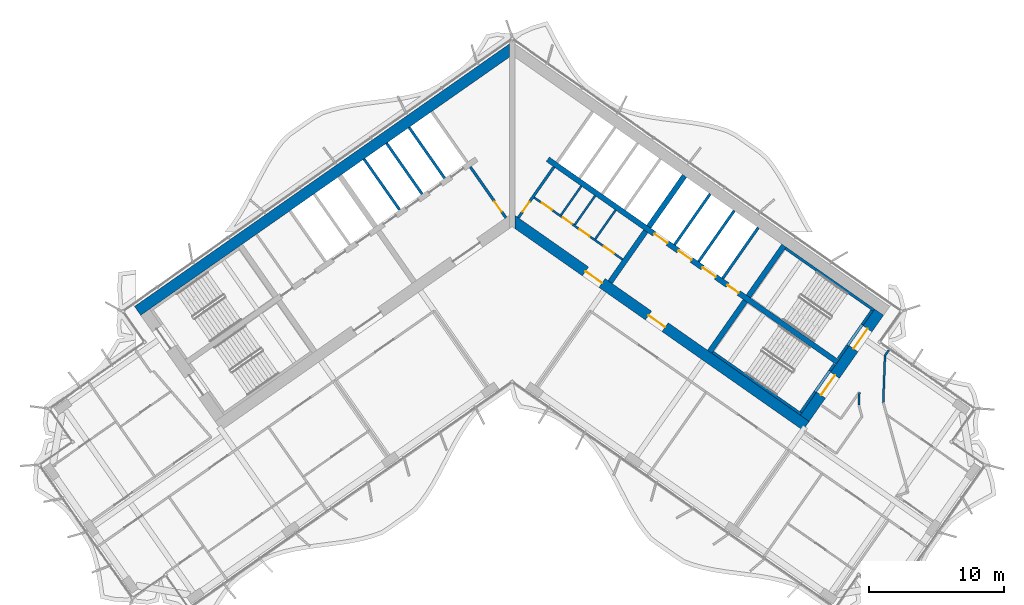
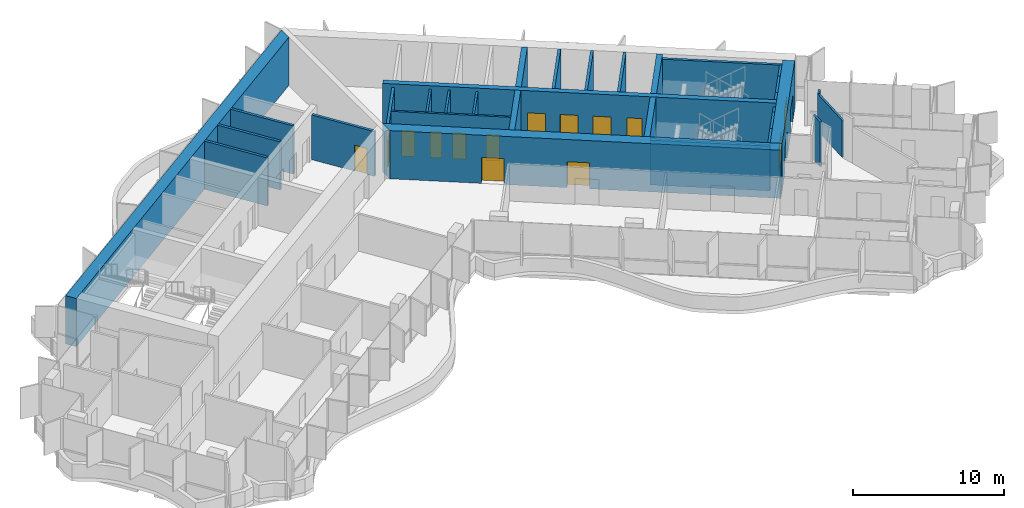
# One storey, part 14 of 21: 31 walls, 14 doors, 14 openings.
"""IFC4 building model written with IfcOpenShell, lengths in metres."""

import ifcopenshell
import ifcopenshell.guid

model = None  # the IFC model being written
_history = None  # IfcOwnerHistory: only IFC2X3 demands one
_inside = {}  # id of a spatial element -> (the spatial element, [elements in it])
_under = {}  # id of a project, library or spatial element -> (it, [spatial elements below it])
_declared = {}  # id of a project -> (the project, [libraries it declares])
_typed = {}  # id of a type object -> (the type object, [elements of that type])
_made_of = {}  # id of a material, layer set ... -> (it, [elements and type objects made of it])


def new_model(schema):
    """Start an empty IFC model of exactly this schema.

    Asked for "IFC4X3", IfcOpenShell would pick the latest addendum, in which some entities
    have other attributes; the version numbers below select the first issue.
    IFC2X3 requires an IfcOwnerHistory on every rooted entity: one is made here for all.
    """
    global model, _history
    if schema == "IFC4X3":
        model = ifcopenshell.file(schema_version=(4, 3, 0, 0))
    else:
        model = ifcopenshell.file(schema=schema)
    _inside.clear()
    _under.clear()
    _declared.clear()
    _typed.clear()
    _made_of.clear()
    _history = None
    if model.schema == "IFC2X3":
        org = make("IfcOrganization", Name="unknown")
        user = make(
            "IfcPersonAndOrganization",
            ThePerson=make("IfcPerson", FamilyName="unknown"),
            TheOrganization=org,
        )
        app = make(
            "IfcApplication",
            ApplicationDeveloper=org,
            Version="unknown",
            ApplicationFullName="unknown",
            ApplicationIdentifier="unknown",
        )
        _history = make(
            "IfcOwnerHistory",
            OwningUser=user,
            OwningApplication=app,
            ChangeAction="ADDED",
            CreationDate=0,
        )
    return model


def make(cls, **values):
    """One entity of the class cls with the attributes given. An attribute that is None is left unset."""
    return model.create_entity(
        cls, **{name: value for name, value in values.items() if value is not None}
    )


def rooted(cls, **values):
    """An entity with a GlobalId (a new one), such as an element, a storey or a relation."""
    return make(cls, GlobalId=ifcopenshell.guid.new(), OwnerHistory=_history, **values)


def si_unit(unit_type, name, prefix=None):
    """IfcSIUnit, for example si_unit("LENGTHUNIT", "METRE", prefix="MILLI")."""
    return make("IfcSIUnit", UnitType=unit_type, Prefix=prefix, Name=name)


def assignment(units):
    """IfcUnitAssignment: the units of a project."""
    return None if units is None else make("IfcUnitAssignment", Units=units)


def point(xyz):
    """IfcCartesianPoint."""
    return None if xyz is None else make("IfcCartesianPoint", Coordinates=xyz)


def direction(xyz):
    """IfcDirection."""
    return None if xyz is None else make("IfcDirection", DirectionRatios=xyz)


def frame(location, z_axis=None, x_axis=None):
    """IfcAxis2Placement3D, a coordinate frame: its origin and axes. An axis left out is left unset."""
    return make(
        "IfcAxis2Placement3D",
        Location=point(location),
        Axis=direction(z_axis),
        RefDirection=direction(x_axis),
    )


def frame_2d(location, x_axis=None):
    """IfcAxis2Placement2D, a coordinate frame in the plane: its origin and x axis."""
    return make(
        "IfcAxis2Placement2D", Location=point(location), RefDirection=direction(x_axis)
    )


def origin():
    """The frame at (0, 0, 0) with its axes left unset."""
    return frame((0.0, 0.0, 0.0))


def place(relative_to, where):
    """IfcLocalPlacement: puts the frame where relative to a parent placement (None: the world)."""
    return make(
        "IfcLocalPlacement", PlacementRelTo=relative_to, RelativePlacement=where
    )


def context(
    kind, dimensions, precision=None, world=None, true_north=None, identifier=None
):
    """IfcGeometricRepresentationContext, for example the 3D "Model" context."""
    return make(
        "IfcGeometricRepresentationContext",
        ContextIdentifier=identifier,
        ContextType=kind,
        CoordinateSpaceDimension=dimensions,
        Precision=precision,
        WorldCoordinateSystem=world,
        TrueNorth=true_north,
    )


def subcontext(parent, identifier, kind, view, scale=None):
    """IfcGeometricRepresentationSubContext, for example "Body" below "Model"."""
    return make(
        "IfcGeometricRepresentationSubContext",
        ContextIdentifier=identifier,
        ContextType=kind,
        ParentContext=parent,
        TargetScale=scale,
        TargetView=view,
    )


def project(units=None, contexts=None):
    """IfcProject with its units and contexts."""
    return rooted(
        "IfcProject",
        Name="project",
        RepresentationContexts=contexts,
        UnitsInContext=assignment(units),
    )


def spatial(cls, under=None, at=None, **own):
    """A site, building, storey or space (cls), placed at a placement, below another one or the project."""
    s = rooted(cls, ObjectPlacement=at, **own)
    if under is not None:
        _under.setdefault(under.id(), (under, []))[1].append(s)
    return s


def polyline(points):
    """IfcPolyline through the points."""
    return make("IfcPolyline", Points=[point(p) for p in points])


def profile(cls, at=None, kind="AREA", **sizes):
    """A parametric profile (cls). Its sizes go by their IFC names, for example OverallWidth=200.0."""
    return make(cls, ProfileType=kind, Position=at, **sizes)


def rectangle(**sizes):
    """IfcRectangleProfileDef."""
    return profile("IfcRectangleProfileDef", **sizes)


def outline(outer, holes=None, kind="AREA"):
    """IfcArbitraryClosedProfileDef: a profile drawn as a closed curve; with holes, ...WithVoids."""
    if holes is None:
        return make("IfcArbitraryClosedProfileDef", ProfileType=kind, OuterCurve=outer)
    return make(
        "IfcArbitraryProfileDefWithVoids",
        ProfileType=kind,
        OuterCurve=outer,
        InnerCurves=holes,
    )


def extrude(swept, where, along, depth):
    """IfcExtrudedAreaSolid: the profile swept, set in the frame where, extruded along a direction by depth."""
    return make(
        "IfcExtrudedAreaSolid",
        SweptArea=swept,
        Position=where,
        ExtrudedDirection=direction(along),
        Depth=depth,
    )


def shape(context_of_items, identifier, shape_type, items):
    """IfcShapeRepresentation: the items that make up one representation, for example the "Body"."""
    return make(
        "IfcShapeRepresentation",
        ContextOfItems=context_of_items,
        RepresentationIdentifier=identifier,
        RepresentationType=shape_type,
        Items=items,
    )


def material(Name=None, Category=None):
    """IfcMaterial."""
    return make("IfcMaterial", Name=Name, Category=Category)


def layer(
    of_material, thickness, ventilated=None, Name=None, Category=None, Priority=None
):
    """IfcMaterialLayer: one layer of a wall or slab, of a material (None: an air gap)."""
    return make(
        "IfcMaterialLayer",
        Material=of_material,
        LayerThickness=thickness,
        IsVentilated=ventilated,
        Name=Name,
        Category=Category,
        Priority=Priority,
    )


def layer_set(layers, Name=None):
    """IfcMaterialLayerSet."""
    return make("IfcMaterialLayerSet", MaterialLayers=layers, LayerSetName=Name)


def made_of(thing, what):
    """Note that an element or type object is made of a material, layer set ...; save() writes the relation."""
    if what is not None:
        _made_of.setdefault(what.id(), (what, []))[1].append(thing)
    return thing


def type_object(cls, material=None, **own):
    """A type object (cls), such as IfcWallType, which elements share."""
    return made_of(rooted(cls, **own), material)


def element(
    cls,
    number,
    at=None,
    inside=None,
    cuts=None,
    type_object=None,
    material=None,
    context=None,
    identifier="Body",
    shape_type=None,
    held_by="IfcProductDefinitionShape",
    body=None,
    shapes=None,
    **own,
):
    """One element of the class cls, such as IfcWall. Its Tag is "e" and its number.

    at: its placement. inside: the storey or other place that contains it. cuts: it is an
    opening in that element (IfcRelVoidsElement). A single representation is given by context,
    identifier, shape_type and body (its items); several are given by shapes. held_by: the class
    of the entity that holds the representations. save() writes the other relations.
    """
    e = rooted(cls, Tag="e%d" % number, ObjectPlacement=at, **own)
    if body is not None:
        shapes = [shape(context, identifier, shape_type, body)]
    if shapes is not None:
        e.Representation = make(held_by, Representations=shapes)
    if inside is not None:
        _inside.setdefault(inside.id(), (inside, []))[1].append(e)
    if cuts is not None:
        rooted(
            "IfcRelVoidsElement", RelatingBuildingElement=cuts, RelatedOpeningElement=e
        )
    if type_object is not None:
        _typed.setdefault(type_object.id(), (type_object, []))[1].append(e)
    return made_of(e, material)


def fill(opening, filler):
    """IfcRelFillsElement: the door or window that sits in an opening."""
    return rooted(
        "IfcRelFillsElement",
        RelatingOpeningElement=opening,
        RelatedBuildingElement=filler,
    )


def aggregate(whole, parts):
    """IfcRelAggregates: a whole, such as a stair, and the parts it consists of."""
    return rooted("IfcRelAggregates", RelatingObject=whole, RelatedObjects=parts)


def save(model, path):
    """Write the relations noted so far, then the file.

    IfcRelAggregates (storeys below a building ...), IfcRelContainedInSpatialStructure (elements
    in a storey), IfcRelDefinesByType, IfcRelAssociatesMaterial and IfcRelDeclares: one each for
    every whole, place, type object, material and project.
    """
    for whole, parts in _under.values():
        aggregate(whole, parts)
    for where, things in _inside.values():
        rooted(
            "IfcRelContainedInSpatialStructure",
            RelatedElements=things,
            RelatingStructure=where,
        )
    for kind, things in _typed.values():
        rooted("IfcRelDefinesByType", RelatedObjects=things, RelatingType=kind)
    for what, things in _made_of.values():
        rooted("IfcRelAssociatesMaterial", RelatedObjects=things, RelatingMaterial=what)
    for by, libraries in _declared.values():
        rooted("IfcRelDeclares", RelatingContext=by, RelatedDefinitions=libraries)
    model.write(path)


model = new_model("IFC4")

# Units and contexts
model_context = context("Model", 3, precision=1e-05, world=origin(), true_north=direction((0.0, 1.0)))
body_context = subcontext(model_context, "Body", "Model", "MODEL_VIEW")
ifc_project = project(units=[si_unit("LENGTHUNIT", "METRE"), si_unit("AREAUNIT", "SQUARE_METRE"), si_unit("VOLUMEUNIT", "CUBIC_METRE"), si_unit("PLANEANGLEUNIT", "RADIAN"), si_unit("MASSUNIT", "GRAM", prefix="KILO")], contexts=[model_context])

# Site, building, storey
site_placement = place(None, origin())
site = spatial("IfcSite", under=ifc_project, at=site_placement, CompositionType="ELEMENT")
building_placement = place(site_placement, origin())
building = spatial("IfcBuilding", under=site, at=building_placement, Name="Tel Ilan Convention Tower", CompositionType="ELEMENT")
storey_placement = place(building_placement, frame((0.0, 0.0, 206.10009765625)))
storey = spatial("IfcBuildingStorey", under=building, at=storey_placement, Name="L48", CompositionType="ELEMENT", Elevation=206.10009765625)

# Wall, openings, doors
ifc_material_1 = material(Name="Gypsum Plasterboard on Steel Stud", Category="steel")
ifc_layer_1 = layer(ifc_material_1, 0.14990234375)
ifc_layer_set_1 = layer_set([ifc_layer_1], Name="Core Room Partition Wall 150 mm EI 60")
wall_type_1 = type_object("IfcWallType", Name="Core Room Partition Wall 150 mm EI 60", PredefinedType="PARTITIONING", material=ifc_layer_set_1)
wall_1_placement = place(storey_placement, frame((1.63037109375, 0.93359375, 0.0), z_axis=(0.0, 0.0, 1.0), x_axis=(0.819165963305, -0.573556557423, 0.0)))
wall_1 = element("IfcWall", 1, at=wall_1_placement, inside=storey, type_object=wall_type_1, Name="L48 core wall wc-h1", PredefinedType="PARTITIONING", context=body_context, shape_type="SweptSolid", body=[
    extrude(rectangle(XDim=7.999755859375, YDim=0.14990234375, at=frame_2d((4.0, 0.0))), origin(), (0.0, 0.0, 1.0), 3.619873046875),
])
opening_1_placement = place(wall_1_placement, frame((0.699951171875, 0.0, 0.0)))
opening_1 = element("IfcOpeningElement", 2, at=opening_1_placement, cuts=wall_1, Name="Opening CD3812", PredefinedType="OPENING", context=body_context, shape_type="SweptSolid", body=[
    extrude(rectangle(XDim=0.89990234375, YDim=2.10009765625, at=frame_2d((0.449951171875, 1.050048828125))), frame((0.0, 0.0849609375, 0.0), z_axis=(0.0, -1.0, 0.0), x_axis=(1.0, 0.0, 0.0)), (0.0, 0.0, 1.0), 0.169921875),
])
opening_2_placement = place(wall_1_placement, frame((2.60009765625, 0.0, 0.0)))
opening_2 = element("IfcOpeningElement", 3, at=opening_2_placement, cuts=wall_1, Name="Opening CD3811", PredefinedType="OPENING", context=body_context, shape_type="SweptSolid", body=[
    extrude(rectangle(XDim=0.800048828125, YDim=2.10009765625, at=frame_2d((0.39990234375, 1.050048828125))), frame((0.0, 0.0849609375, 0.0), z_axis=(0.0, -1.0, 0.0), x_axis=(1.0, 0.0, 0.0)), (0.0, 0.0, 1.0), 0.169921875),
])
opening_3_placement = place(wall_1_placement, frame((4.10009765625, 0.0, 0.0)))
opening_3 = element("IfcOpeningElement", 4, at=opening_3_placement, cuts=wall_1, Name="Opening CD3810", PredefinedType="OPENING", context=body_context, shape_type="SweptSolid", body=[
    extrude(rectangle(XDim=0.89990234375, YDim=2.10009765625, at=frame_2d((0.449951171875, 1.050048828125))), frame((0.0, 0.0849609375, 0.0), z_axis=(0.0, -1.0, 0.0), x_axis=(1.0, 0.0, 0.0)), (0.0, 0.0, 1.0), 0.169921875),
])
opening_4_placement = place(wall_1_placement, frame((6.324951171875, 0.0, 0.0)))
opening_4 = element("IfcOpeningElement", 5, at=opening_4_placement, cuts=wall_1, Name="Opening CD3813", PredefinedType="OPENING", context=body_context, shape_type="SweptSolid", body=[
    extrude(rectangle(XDim=0.89990234375, YDim=2.10009765625, at=frame_2d((0.449951171875, 1.050048828125))), frame((0.0, 0.0849609375, 0.0), z_axis=(0.0, -1.0, 0.0), x_axis=(1.0, 0.0, 0.0)), (0.0, 0.0, 1.0), 0.169921875),
])
ifc_material_2 = material(Name="Galvanised Steel Door Leaf", Category="steel")
door_type_1 = type_object("IfcDoorType", Name="Store Door 800 x 2100 FD60", OperationType="NOTDEFINED", PredefinedType="DOOR", material=ifc_material_2)
door_1_placement = place(opening_2_placement, origin())
door_1 = element("IfcDoor", 6, at=door_1_placement, inside=storey, type_object=door_type_1, Name="Cleaner's store door", OperationType="SINGLE_SWING_RIGHT", OverallHeight=2.10009765625, OverallWidth=0.800048828125, PredefinedType="DOOR", context=body_context, shape_type="SweptSolid", body=[
    extrude(rectangle(XDim=0.800048828125, YDim=2.10009765625, at=frame_2d((0.39990234375, 1.050048828125))), frame((0.0, 0.02490234375, 0.0), z_axis=(0.0, -1.0, 0.0), x_axis=(1.0, 0.0, 0.0)), (0.0, 0.0, 1.0), 0.050048828125),
])
fill(opening_2, door_1)
ifc_material_3 = material(Name="Laminated Timber Door Leaf", Category="wood")
door_type_2 = type_object("IfcDoorType", Name="Toilet Door 900 x 2100 FD30S", OperationType="NOTDEFINED", PredefinedType="DOOR", material=ifc_material_3)
door_2_placement = place(opening_1_placement, origin())
door_2 = element("IfcDoor", 7, at=door_2_placement, inside=storey, type_object=door_type_2, Name="Men's WC door", OperationType="SINGLE_SWING_RIGHT", OverallHeight=2.10009765625, OverallWidth=0.89990234375, PredefinedType="DOOR", context=body_context, shape_type="SweptSolid", body=[
    extrude(rectangle(XDim=0.89990234375, YDim=2.10009765625, at=frame_2d((0.449951171875, 1.050048828125))), frame((0.0, 0.02490234375, 0.0), z_axis=(0.0, -1.0, 0.0), x_axis=(1.0, 0.0, 0.0)), (0.0, 0.0, 1.0), 0.050048828125),
])
fill(opening_1, door_2)
door_3_placement = place(opening_3_placement, origin())
door_3 = element("IfcDoor", 8, at=door_3_placement, inside=storey, type_object=door_type_2, Name="Accessible WC door", OperationType="SINGLE_SWING_RIGHT", OverallHeight=2.10009765625, OverallWidth=0.89990234375, PredefinedType="DOOR", context=body_context, shape_type="SweptSolid", body=[
    extrude(rectangle(XDim=0.89990234375, YDim=2.10009765625, at=frame_2d((0.449951171875, 1.050048828125))), frame((0.0, 0.02490234375, 0.0), z_axis=(0.0, -1.0, 0.0), x_axis=(1.0, 0.0, 0.0)), (0.0, 0.0, 1.0), 0.050048828125),
])
fill(opening_3, door_3)
door_4_placement = place(opening_4_placement, origin())
door_4 = element("IfcDoor", 9, at=door_4_placement, inside=storey, type_object=door_type_2, Name="Women's WC door", OperationType="SINGLE_SWING_RIGHT", OverallHeight=2.10009765625, OverallWidth=0.89990234375, PredefinedType="DOOR", context=body_context, shape_type="SweptSolid", body=[
    extrude(rectangle(XDim=0.89990234375, YDim=2.10009765625, at=frame_2d((0.449951171875, 1.050048828125))), frame((0.0, 0.02490234375, 0.0), z_axis=(0.0, -1.0, 0.0), x_axis=(1.0, 0.0, 0.0)), (0.0, 0.0, 1.0), 0.050048828125),
])
fill(opening_4, door_4)

# Walls
for number, where, z_axis, x_axis, name in (
    (10, (3.618896484375, -0.3671875, 0.0), (0.0, 0.0, 1.0), (0.573549726504, 0.819170746076, 0.0), "L48 core wall wc-v0"),
    (11, (4.642822265625, -1.083984375, 0.0), (0.0, 0.0, 1.0), (0.573593425114, 0.819140148367, 0.0), "L48 core wall wc-v1"),
    (12, (6.158203125, -2.145263671875, 0.0), (0.0, 0.0, 1.0), (0.573549726504, 0.819170746076, 0.0), "L48 core wall wc-v2"),
):
    element("IfcWall", number, at=place(storey_placement, frame(where, z_axis=z_axis, x_axis=x_axis)), inside=storey, type_object=wall_type_1, Name=name, PredefinedType="PARTITIONING", context=body_context, shape_type="SweptSolid", body=[
        extrude(rectangle(XDim=2.625, YDim=0.14990234375, at=frame_2d((1.3125, 0.0))), origin(), (0.0, 0.0, 1.0), 3.619873046875),
    ])

# Wall, opening, door
ifc_material_4 = material(Name="Concrete C30/37", Category="concrete")
ifc_layer_2 = layer(ifc_material_4, 0.199951171875)
ifc_layer_set_2 = layer_set([ifc_layer_2], Name="Core Service Room Wall 200 mm C30/37")
wall_type_2 = type_object("IfcWallType", Name="Core Service Room Wall 200 mm C30/37", PredefinedType="SOLIDWALL", material=ifc_layer_set_2)
wall_2_placement = place(storey_placement, frame((-0.458740234375, -0.565185546875, 0.0), z_axis=(0.0, 0.0, 1.0), x_axis=(-0.573576324356, 0.819152122709, 0.0)))
wall_2 = element("IfcWall", 13, at=wall_2_placement, inside=storey, type_object=wall_type_2, Name="L48 core wall apex-W", PredefinedType="SOLIDWALL", context=body_context, shape_type="SweptSolid", body=[
    extrude(rectangle(XDim=4.599853515625, YDim=0.199951171875, at=frame_2d((2.2998046875, 0.0))), origin(), (0.0, 0.0, 1.0), 3.619873046875),
])
opening_5_placement = place(wall_2_placement, frame((0.550048828125, 0.0, 0.0)))
opening_5 = element("IfcOpeningElement", 14, at=opening_5_placement, cuts=wall_2, Name="Opening CD3802", PredefinedType="OPENING", context=body_context, shape_type="SweptSolid", body=[
    extrude(rectangle(XDim=0.89990234375, YDim=2.10009765625, at=frame_2d((0.449951171875, 1.050048828125))), frame((0.0, 0.10986328125, 0.0), z_axis=(0.0, -1.0, 0.0), x_axis=(1.0, 0.0, 0.0)), (0.0, 0.0, 1.0), 0.219970703125),
])
ifc_material_5 = material(Name="Galvanised Steel Door Leaf", Category="steel")
door_type_3 = type_object("IfcDoorType", Name="Service Room Door 900 x 2100 FD60", OperationType="NOTDEFINED", PredefinedType="DOOR", material=ifc_material_5)
door_5_placement = place(opening_5_placement, origin())
door_5 = element("IfcDoor", 15, at=door_5_placement, inside=storey, type_object=door_type_3, Name="Riser Room door", OperationType="SINGLE_SWING_RIGHT", OverallHeight=2.10009765625, OverallWidth=0.89990234375, PredefinedType="DOOR", context=body_context, shape_type="SweptSolid", body=[
    extrude(rectangle(XDim=0.89990234375, YDim=2.10009765625, at=frame_2d((0.449951171875, 1.050048828125))), frame((0.0, 0.02490234375, 0.0), z_axis=(0.0, -1.0, 0.0), x_axis=(1.0, 0.0, 0.0)), (0.0, 0.0, 1.0), 0.050048828125),
])
fill(opening_5, door_5)

wall_3_placement = place(storey_placement, frame((0.458740234375, -0.565185546875, 0.0), z_axis=(0.0, 0.0, 1.0), x_axis=(0.573576324356, 0.819152122709, 0.0)))
wall_3 = element("IfcWall", 16, at=wall_3_placement, inside=storey, type_object=wall_type_2, Name="L48 core wall apex-E", PredefinedType="SOLIDWALL", context=body_context, shape_type="SweptSolid", body=[
    extrude(rectangle(XDim=4.599853515625, YDim=0.199951171875, at=frame_2d((2.2998046875, 0.0))), origin(), (0.0, 0.0, 1.0), 3.619873046875),
])
opening_6_placement = place(wall_3_placement, frame((0.550048828125, 0.0, 0.0)))
opening_6 = element("IfcOpeningElement", 17, at=opening_6_placement, cuts=wall_3, Name="Opening CD3801", PredefinedType="OPENING", context=body_context, shape_type="SweptSolid", body=[
    extrude(rectangle(XDim=0.89990234375, YDim=2.10009765625, at=frame_2d((0.449951171875, 1.050048828125))), frame((0.0, 0.10986328125, 0.0), z_axis=(0.0, -1.0, 0.0), x_axis=(1.0, 0.0, 0.0)), (0.0, 0.0, 1.0), 0.219970703125),
])
door_6_placement = place(opening_6_placement, origin())
door_6 = element("IfcDoor", 18, at=door_6_placement, inside=storey, type_object=door_type_3, Name="Electrical Room door", OperationType="SINGLE_SWING_RIGHT", OverallHeight=2.10009765625, OverallWidth=0.89990234375, PredefinedType="DOOR", context=body_context, shape_type="SweptSolid", body=[
    extrude(rectangle(XDim=0.89990234375, YDim=2.10009765625, at=frame_2d((0.449951171875, 1.050048828125))), frame((0.0, 0.02490234375, 0.0), z_axis=(0.0, -1.0, 0.0), x_axis=(1.0, 0.0, 0.0)), (0.0, 0.0, 1.0), 0.050048828125),
])
fill(opening_6, door_6)

# Walls
ifc_material_6 = material(Name="Concrete C50/60", Category="concrete")
ifc_layer_3 = layer(ifc_material_6, 0.39990234375)
ifc_layer_set_3 = layer_set([ifc_layer_3], Name="Core Shear Wall 400 mm C50/60")
wall_type_3 = type_object("IfcWallType", Name="Core Shear Wall 400 mm C50/60", PredefinedType="SHEAR", material=ifc_layer_set_3)
wall_4_placement = place(storey_placement, frame((7.2578125, -5.325927734375, 0.0), z_axis=(0.0, 0.0, 1.0), x_axis=(0.573540709186, 0.819177059558, 0.0)))
element("IfcWall", 19, at=wall_4_placement, inside=storey, type_object=wall_type_3, Name="L48 core wall E-cross1-1", PredefinedType="SHEAR", context=body_context, shape_type="SweptSolid", body=[
    extrude(outline(polyline([(-0.000244140625, 0.2001953125), (-0.000244140625, -0.199951171875), (4.599853515625, -0.2001953125), (4.599853515625, 0.199951171875), (-0.000244140625, 0.2001953125)])), origin(), (0.0, 0.0, 1.0), 3.89990234375),
])
wall_5_placement = place(storey_placement, frame((10.12548828125, -1.230224609375, 0.0), z_axis=(0.0, 0.0, 1.0), x_axis=(0.573576324356, 0.819152122709, 0.0)))
element("IfcWall", 20, at=wall_5_placement, inside=storey, type_object=wall_type_3, Name="L48 core wall E-cross1-2", PredefinedType="SHEAR", context=body_context, shape_type="SweptSolid", body=[
    extrude(outline(polyline([(4.599853515625, -0.199951171875), (4.60009765625, 0.199951171875), (0.0, 0.199951171875), (0.0, -0.2001953125), (4.599853515625, -0.199951171875)])), origin(), (0.0, 0.0, 1.0), 3.89990234375),
])
wall_6_placement = place(storey_placement, frame((14.6298828125, -10.48828125, 0.0), z_axis=(0.0, 0.0, 1.0), x_axis=(0.573611936273, 0.819127185829, 0.0)))
element("IfcWall", 21, at=wall_6_placement, inside=storey, type_object=wall_type_3, Name="L48 core wall E-cross2-1", PredefinedType="SHEAR", context=body_context, shape_type="SweptSolid", body=[
    extrude(outline(polyline([(0.000244140625, 0.199951171875), (0.000244140625, -0.2001953125), (4.60009765625, -0.199951171875), (4.60009765625, 0.2001953125), (0.000244140625, 0.199951171875)])), origin(), (0.0, 0.0, 1.0), 3.89990234375),
])
wall_7_placement = place(storey_placement, frame((17.497802734375, -6.392333984375, 0.0), z_axis=(0.0, 0.0, 1.0), x_axis=(0.573611936273, 0.819127185829, 0.0)))
element("IfcWall", 22, at=wall_7_placement, inside=storey, type_object=wall_type_3, Name="L48 core wall E-cross2-2", PredefinedType="SHEAR", context=body_context, shape_type="SweptSolid", body=[
    extrude(outline(polyline([(4.599853515625, -0.199951171875), (4.599853515625, 0.2001953125), (0.0, 0.199951171875), (0.0, -0.2001953125), (4.599853515625, -0.199951171875)])), origin(), (0.0, 0.0, 1.0), 3.89990234375),
])

# Wall, openings, doors
wall_8_placement = place(storey_placement, frame((2.638427734375, 3.76806640625, 0.0), z_axis=(0.0, 0.0, 1.0), x_axis=(0.81915267502, -0.573575535572, 0.0)))
wall_8 = element("IfcWall", 23, at=wall_8_placement, inside=storey, type_object=wall_type_3, Name="L48 core wall E-spine", PredefinedType="SHEAR", context=body_context, shape_type="SweptSolid", body=[
    extrude(outline(polyline([(0.0, 0.199951171875), (0.0, -0.199951171875), (26.199951171875, -0.199951171875), (26.199951171875, 0.199951171875), (0.0, 0.199951171875)])), origin(), (0.0, 0.0, 1.0), 3.89990234375),
])
opening_7_placement = place(wall_8_placement, frame((9.637451171875, 0.0, 0.0)))
opening_7 = element("IfcOpeningElement", 24, at=opening_7_placement, cuts=wall_8, Name="Opening LD3801", PredefinedType="OPENING", context=body_context, shape_type="SweptSolid", body=[
    extrude(rectangle(XDim=1.199951171875, YDim=2.10009765625, at=frame_2d((0.60009765625, 1.050048828125))), frame((0.0, 0.2099609375, 0.0), z_axis=(0.0, -1.0, 0.0), x_axis=(1.0, 0.0, 0.0)), (0.0, 0.0, 1.0), 0.419921875),
])
opening_8_placement = place(wall_8_placement, frame((11.8125, 0.0, 0.0)))
opening_8 = element("IfcOpeningElement", 25, at=opening_8_placement, cuts=wall_8, Name="Opening LD3802", PredefinedType="OPENING", context=body_context, shape_type="SweptSolid", body=[
    extrude(rectangle(XDim=1.199951171875, YDim=2.10009765625, at=frame_2d((0.60009765625, 1.050048828125))), frame((0.0, 0.2099609375, 0.0), z_axis=(0.0, -1.0, 0.0), x_axis=(1.0, 0.0, 0.0)), (0.0, 0.0, 1.0), 0.419921875),
])
opening_9_placement = place(wall_8_placement, frame((13.987548828125, 0.0, 0.0)))
opening_9 = element("IfcOpeningElement", 26, at=opening_9_placement, cuts=wall_8, Name="Opening LD3803", PredefinedType="OPENING", context=body_context, shape_type="SweptSolid", body=[
    extrude(rectangle(XDim=1.199951171875, YDim=2.10009765625, at=frame_2d((0.60009765625, 1.050048828125))), frame((0.0, 0.2099609375, 0.0), z_axis=(0.0, -1.0, 0.0), x_axis=(1.0, 0.0, 0.0)), (0.0, 0.0, 1.0), 0.419921875),
])
opening_10_placement = place(wall_8_placement, frame((16.262451171875, 0.0, 0.0)))
opening_10 = element("IfcOpeningElement", 27, at=opening_10_placement, cuts=wall_8, Name="Opening CD3807", PredefinedType="OPENING", context=body_context, shape_type="SweptSolid", body=[
    extrude(rectangle(XDim=1.0, YDim=2.10009765625, at=frame_2d((0.5, 1.050048828125))), frame((0.0, 0.2099609375, 0.0), z_axis=(0.0, -1.0, 0.0), x_axis=(1.0, 0.0, 0.0)), (0.0, 0.0, 1.0), 0.419921875),
])
ifc_material_7 = material(Name="Stainless Steel Sliding Door Leaf", Category="steel")
door_type_4 = type_object("IfcDoorType", Name="Lift Landing Door 1200 x 2100 FD120", OperationType="NOTDEFINED", PredefinedType="DOOR", material=ifc_material_7)
door_7_placement = place(opening_7_placement, origin())
door_7 = element("IfcDoor", 28, at=door_7_placement, inside=storey, type_object=door_type_4, Name="Lift FL1 landing door", OperationType="SLIDING_TO_LEFT", OverallHeight=2.10009765625, OverallWidth=1.199951171875, PredefinedType="DOOR", context=body_context, shape_type="SweptSolid", body=[
    extrude(rectangle(XDim=1.199951171875, YDim=2.10009765625, at=frame_2d((0.60009765625, 1.050048828125))), frame((0.0, 0.02490234375, 0.0), z_axis=(0.0, -1.0, 0.0), x_axis=(1.0, 0.0, 0.0)), (0.0, 0.0, 1.0), 0.050048828125),
])
fill(opening_7, door_7)
door_8_placement = place(opening_8_placement, origin())
door_8 = element("IfcDoor", 29, at=door_8_placement, inside=storey, type_object=door_type_4, Name="Lift FL2 landing door", OperationType="SLIDING_TO_RIGHT", OverallHeight=2.10009765625, OverallWidth=1.199951171875, PredefinedType="DOOR", context=body_context, shape_type="SweptSolid", body=[
    extrude(rectangle(XDim=1.199951171875, YDim=2.10009765625, at=frame_2d((0.60009765625, 1.050048828125))), frame((0.0, 0.02490234375, 0.0), z_axis=(0.0, -1.0, 0.0), x_axis=(1.0, 0.0, 0.0)), (0.0, 0.0, 1.0), 0.050048828125),
])
fill(opening_8, door_8)
door_9_placement = place(opening_9_placement, origin())
door_9 = element("IfcDoor", 30, at=door_9_placement, inside=storey, type_object=door_type_4, Name="Lift FL3 landing door", OperationType="SLIDING_TO_LEFT", OverallHeight=2.10009765625, OverallWidth=1.199951171875, PredefinedType="DOOR", context=body_context, shape_type="SweptSolid", body=[
    extrude(rectangle(XDim=1.199951171875, YDim=2.10009765625, at=frame_2d((0.60009765625, 1.050048828125))), frame((0.0, 0.02490234375, 0.0), z_axis=(0.0, -1.0, 0.0), x_axis=(1.0, 0.0, 0.0)), (0.0, 0.0, 1.0), 0.050048828125),
])
fill(opening_9, door_9)
ifc_material_8 = material(Name="Galvanised Steel Door Leaf", Category="steel")
door_type_5 = type_object("IfcDoorType", Name="Service Room Door 1000 x 2100 FD60", OperationType="NOTDEFINED", PredefinedType="DOOR", material=ifc_material_8)
door_10_placement = place(opening_10_placement, origin())
door_10 = element("IfcDoor", 31, at=door_10_placement, inside=storey, type_object=door_type_5, Name="Plant Room door", OperationType="SINGLE_SWING_RIGHT", OverallHeight=2.10009765625, OverallWidth=1.0, PredefinedType="DOOR", context=body_context, shape_type="SweptSolid", body=[
    extrude(rectangle(XDim=1.0, YDim=2.10009765625, at=frame_2d((0.5, 1.050048828125))), frame((0.0, 0.02490234375, 0.0), z_axis=(0.0, -1.0, 0.0), x_axis=(1.0, 0.0, 0.0)), (0.0, 0.0, 1.0), 0.050048828125),
])
fill(opening_10, door_10)

# Wall
ifc_material_9 = material(Name="Concrete C50/60", Category="concrete")
ifc_layer_4 = layer(ifc_material_9, 0.800048828125)
ifc_layer_set_4 = layer_set([ifc_layer_4], Name="Core Shear Wall 800 mm C50/60")
wall_type_4 = type_object("IfcWallType", Name="Core Shear Wall 800 mm C50/60", PredefinedType="SHEAR", material=ifc_layer_set_4)
wall_9_placement = place(storey_placement, frame((0.029296875, 11.984130859375, 0.0), z_axis=(0.0, 0.0, 1.0), x_axis=(-0.819151382952, -0.573577380837, 0.0)))
element("IfcWall", 32, at=wall_9_placement, inside=storey, type_object=wall_type_4, Name="L48 core wall W-back", PredefinedType="SHEAR", context=body_context, shape_type="SweptSolid", body=[
    extrude(outline(polyline([(33.897705078125, 0.39990234375), (0.56005859375, 0.400146484375), (-0.000244140625, -0.39990234375), (33.897705078125, -0.400146484375), (33.897705078125, 0.39990234375)])), origin(), (0.0, 0.0, 1.0), 3.89990234375),
])

# Wall, openings, doors
wall_10_placement = place(storey_placement, frame((-0.029296875, -0.7119140625, 0.0), z_axis=(0.0, 0.0, 1.0), x_axis=(0.819151758019, -0.573576845187, 0.0)))
wall_10 = element("IfcWall", 33, at=wall_10_placement, inside=storey, type_object=wall_type_4, Name="L48 core wall E-front", PredefinedType="SHEAR", context=body_context, shape_type="SweptSolid", body=[
    extrude(outline(polyline([(26.61572265625, 0.39990234375), (-0.000244140625, 0.39990234375), (0.56005859375, -0.39990234375), (26.61572265625, -0.39990234375), (26.61572265625, 0.39990234375)])), origin(), (0.0, 0.0, 1.0), 3.89990234375),
])
opening_11_placement = place(wall_10_placement, frame((6.665771484375, 0.0, 0.0)))
opening_11 = element("IfcOpeningElement", 34, at=opening_11_placement, cuts=wall_10, Name="Opening CD3803", PredefinedType="OPENING", context=body_context, shape_type="SweptSolid", body=[
    extrude(rectangle(XDim=1.5, YDim=2.10009765625, at=frame_2d((0.75, 1.050048828125))), frame((0.0, 0.409912109375, 0.0), z_axis=(0.0, -1.0, 0.0), x_axis=(1.0, 0.0, 0.0)), (0.0, 0.0, 1.0), 0.820068359375),
])
opening_12_placement = place(wall_10_placement, frame((12.36572265625, 0.0, 0.0)))
opening_12 = element("IfcOpeningElement", 35, at=opening_12_placement, cuts=wall_10, Name="Opening CD3804", PredefinedType="OPENING", context=body_context, shape_type="SweptSolid", body=[
    extrude(rectangle(XDim=1.5, YDim=2.10009765625, at=frame_2d((0.75, 1.050048828125))), frame((0.0, 0.409912109375, 0.0), z_axis=(0.0, -1.0, 0.0), x_axis=(1.0, 0.0, 0.0)), (0.0, 0.0, 1.0), 0.820068359375),
])
ifc_material_10 = material(Name="Glazed Aluminium Door Leaf", Category="aluminium")
door_type_6 = type_object("IfcDoorType", Name="Lobby Opening Door 1500 x 2100 FD60S", OperationType="NOTDEFINED", PredefinedType="DOOR", material=ifc_material_10)
door_11_placement = place(opening_12_placement, origin())
door_11 = element("IfcDoor", 36, at=door_11_placement, inside=storey, type_object=door_type_6, Name="Firefighting Lobby door", OperationType="DOUBLE_DOOR_SINGLE_SWING", OverallHeight=2.10009765625, OverallWidth=1.5, PredefinedType="DOOR", context=body_context, shape_type="SweptSolid", body=[
    extrude(rectangle(XDim=1.5, YDim=2.10009765625, at=frame_2d((0.75, 1.050048828125))), frame((0.0, 0.02490234375, 0.0), z_axis=(0.0, -1.0, 0.0), x_axis=(1.0, 0.0, 0.0)), (0.0, 0.0, 1.0), 0.050048828125),
])
fill(opening_12, door_11)
ifc_material_11 = material(Name="Laminated Timber Door Leaf", Category="wood")
door_type_7 = type_object("IfcDoorType", Name="Toilet Door 1500 x 2100 FD30S", OperationType="NOTDEFINED", PredefinedType="DOOR", material=ifc_material_11)
door_12_placement = place(opening_11_placement, origin())
door_12 = element("IfcDoor", 37, at=door_12_placement, inside=storey, type_object=door_type_7, Name="WC Lobby door", OperationType="SINGLE_SWING_RIGHT", OverallHeight=2.10009765625, OverallWidth=1.5, PredefinedType="DOOR", context=body_context, shape_type="SweptSolid", body=[
    extrude(rectangle(XDim=1.5, YDim=2.10009765625, at=frame_2d((0.75, 1.050048828125))), frame((0.0, 0.02490234375, 0.0), z_axis=(0.0, -1.0, 0.0), x_axis=(1.0, 0.0, 0.0)), (0.0, 0.0, 1.0), 0.050048828125),
])
fill(opening_11, door_12)

wall_11_placement = place(storey_placement, frame((21.6748046875, -15.4208984375, 0.0), z_axis=(0.0, 0.0, 1.0), x_axis=(0.573581815061, 0.819148278049, 0.0)))
wall_11 = element("IfcWall", 38, at=wall_11_placement, inside=storey, type_object=wall_type_4, Name="L48 core wall E-end", PredefinedType="SHEAR", context=body_context, shape_type="SweptSolid", body=[
    extrude(outline(polyline([(9.599853515625, 0.400146484375), (0.0, 0.39990234375), (0.0, -0.39990234375), (9.599853515625, -0.39990234375), (9.599853515625, 0.400146484375)])), origin(), (0.0, 0.0, 1.0), 3.89990234375),
])
opening_13_placement = place(wall_11_placement, frame((6.300048828125, 0.0, 0.0)))
opening_13 = element("IfcOpeningElement", 39, at=opening_13_placement, cuts=wall_11, Name="Opening SD3803", PredefinedType="OPENING", context=body_context, shape_type="SweptSolid", body=[
    extrude(rectangle(XDim=1.800048828125, YDim=2.10009765625, at=frame_2d((0.89990234375, 1.050048828125))), frame((0.0, 0.409912109375, 0.0), z_axis=(0.0, -1.0, 0.0), x_axis=(1.0, 0.0, 0.0)), (0.0, 0.0, 1.0), 0.820068359375),
])
opening_14_placement = place(wall_11_placement, frame((2.10009765625, 0.0, 0.0)))
opening_14 = element("IfcOpeningElement", 40, at=opening_14_placement, cuts=wall_11, Name="Opening SD3804", PredefinedType="OPENING", context=body_context, shape_type="SweptSolid", body=[
    extrude(rectangle(XDim=1.800048828125, YDim=2.10009765625, at=frame_2d((0.89990234375, 1.050048828125))), frame((0.0, 0.409912109375, 0.0), z_axis=(0.0, -1.0, 0.0), x_axis=(1.0, 0.0, 0.0)), (0.0, 0.0, 1.0), 0.820068359375),
])
ifc_material_12 = material(Name="Galvanised Steel Door Leaf", Category="steel")
door_type_8 = type_object("IfcDoorType", Name="Stair Fire Door 1800 x 2100 FD60S", OperationType="NOTDEFINED", PredefinedType="DOOR", material=ifc_material_12)
door_13_placement = place(opening_13_placement, origin())
door_13 = element("IfcDoor", 41, at=door_13_placement, inside=storey, type_object=door_type_8, Name="Stair S3 door", OperationType="DOUBLE_DOOR_SINGLE_SWING", OverallHeight=2.10009765625, OverallWidth=1.800048828125, PredefinedType="DOOR", context=body_context, shape_type="SweptSolid", body=[
    extrude(rectangle(XDim=1.800048828125, YDim=2.10009765625, at=frame_2d((0.89990234375, 1.050048828125))), frame((0.0, 0.02490234375, 0.0), z_axis=(0.0, -1.0, 0.0), x_axis=(1.0, 0.0, 0.0)), (0.0, 0.0, 1.0), 0.050048828125),
])
fill(opening_13, door_13)
door_14_placement = place(opening_14_placement, origin())
door_14 = element("IfcDoor", 42, at=door_14_placement, inside=storey, type_object=door_type_8, Name="Stair S4 door", OperationType="DOUBLE_DOOR_SINGLE_SWING", OverallHeight=2.10009765625, OverallWidth=1.800048828125, PredefinedType="DOOR", context=body_context, shape_type="SweptSolid", body=[
    extrude(rectangle(XDim=1.800048828125, YDim=2.10009765625, at=frame_2d((0.89990234375, 1.050048828125))), frame((0.0, 0.02490234375, 0.0), z_axis=(0.0, -1.0, 0.0), x_axis=(1.0, 0.0, 0.0)), (0.0, 0.0, 1.0), 0.050048828125),
])
fill(opening_14, door_14)

# Walls
ifc_material_13 = material(Name="Plasterboard on Steel Studs", Category="steel")
ifc_layer_5 = layer(ifc_material_13, 0.14990234375)
ifc_layer_set_5 = layer_set([ifc_layer_5], Name="Fire-rated Partition 150 EI 60")
wall_type_5 = type_object("IfcWallType", Name="Fire-rated Partition 150 EI 60", PredefinedType="PARTITIONING", material=ifc_layer_set_5)
wall_12_placement = place(storey_placement, frame((25.712890625, -13.489501953125, 0.0), z_axis=(0.0, 0.0, 1.0), x_axis=(-0.036992788415, -0.999315532555, 0.0)))
element("IfcWall", 43, at=wall_12_placement, inside=storey, type_object=wall_type_5, Name="Partition 014", PredefinedType="PARTITIONING", context=body_context, shape_type="SweptSolid", body=[
    extrude(rectangle(XDim=0.95703125, YDim=0.14990234375, at=frame_2d((0.478515625, 0.0))), origin(), (0.0, 0.0, 1.0), 3.619873046875),
])
wall_13_placement = place(storey_placement, frame((27.486572265625, -14.23486328125, 0.0), z_axis=(0.0, 0.0, 1.0), x_axis=(0.036938656061, 0.999317534965, 0.0)))
element("IfcWall", 44, at=wall_13_placement, inside=storey, type_object=wall_type_5, Name="Partition 021", PredefinedType="PARTITIONING", context=body_context, shape_type="SweptSolid", body=[
    extrude(rectangle(XDim=3.46337890625, YDim=0.14990234375, at=frame_2d((1.731689453125, 0.0))), origin(), (0.0, 0.0, 1.0), 3.0),
])
wall_14_placement = place(storey_placement, frame((27.614501953125, -10.77392578125, 0.0), z_axis=(0.0, 0.0, 1.0), x_axis=(0.573664431734, 0.819090422214, 0.0)))
element("IfcWall", 45, at=wall_14_placement, inside=storey, type_object=wall_type_5, Name="Partition 022", PredefinedType="PARTITIONING", context=body_context, shape_type="SweptSolid", body=[
    extrude(rectangle(XDim=0.486328125, YDim=0.14990234375, at=frame_2d((0.2431640625, 0.0))), origin(), (0.0, 0.0, 1.0), 3.0),
])
ifc_material_14 = material(Name="Concrete C30/37", Category="concrete")
ifc_layer_6 = layer(ifc_material_14, 0.199951171875)
ifc_layer_set_6 = layer_set([ifc_layer_6], Name="Lift Shaft Wall 200 mm C30/37")
wall_type_6 = type_object("IfcWallType", Name="Lift Shaft Wall 200 mm C30/37", PredefinedType="SOLIDWALL", material=ifc_layer_set_6)
for number, where, z_axis, x_axis, name in (
    (46, (-4.99560546875, 2.36181640625, 0.0), (0.0, 0.0, 1.0), (-0.573576324356, 0.819152122709, 0.0), "L48 core wall bank-W1-p0"),
    (47, (-6.66455078125, 1.193115234375, 0.0), (0.0, 0.0, 1.0), (-0.573576324356, 0.819152122709, 0.0), "L48 core wall bank-W1-p1"),
):
    element("IfcWall", number, at=place(storey_placement, frame(where, z_axis=z_axis, x_axis=x_axis)), inside=storey, type_object=wall_type_6, Name=name, PredefinedType="SOLIDWALL", context=body_context, shape_type="SweptSolid", body=[
        extrude(rectangle(XDim=4.599853515625, YDim=0.199951171875, at=frame_2d((2.2998046875, 0.0))), origin(), (0.0, 0.0, 1.0), 3.89990234375),
    ])
wall_15_placement = place(storey_placement, frame((-8.33349609375, 0.0244140625, 0.0), z_axis=(0.0, 0.0, 1.0), x_axis=(-0.573611936273, 0.819127185829, 0.0)))
element("IfcWall", 48, at=wall_15_placement, inside=storey, type_object=wall_type_6, Name="L48 core wall bank-W1-p2", PredefinedType="SOLIDWALL", context=body_context, shape_type="SweptSolid", body=[
    extrude(rectangle(XDim=4.60009765625, YDim=0.199951171875, at=frame_2d((2.300048828125, 0.0))), origin(), (0.0, 0.0, 1.0), 3.89990234375),
])
for number, where, z_axis, x_axis, name in (
    (49, (12.030029296875, -2.563720703125, 0.0), (0.0, 0.0, 1.0), (0.573576324356, 0.819152122709, 0.0), "L48 core wall bank-E2-p0"),
    (50, (13.811767578125, -3.811279296875, 0.0), (0.0, 0.0, 1.0), (0.573576324356, 0.819152122709, 0.0), "L48 core wall bank-E2-p1"),
    (51, (15.593505859375, -5.058837890625, 0.0), (0.0, 0.0, 1.0), (0.573540709186, 0.819177059558, 0.0), "L48 core wall bank-E2-p2"),
):
    element("IfcWall", number, at=place(storey_placement, frame(where, z_axis=z_axis, x_axis=x_axis)), inside=storey, type_object=wall_type_6, Name=name, PredefinedType="SOLIDWALL", context=body_context, shape_type="SweptSolid", body=[
        extrude(rectangle(XDim=4.599853515625, YDim=0.199951171875, at=frame_2d((2.2998046875, 0.0))), origin(), (0.0, 0.0, 1.0), 3.89990234375),
    ])
ifc_material_15 = material(Name="Concrete C30/37", Category="concrete")
ifc_layer_7 = layer(ifc_material_15, 0.199951171875)
ifc_layer_set_7 = layer_set([ifc_layer_7], Name="Stair and Shaft Lining Wall 200 mm C30/37")
wall_type_7 = type_object("IfcWallType", Name="Stair and Shaft Lining Wall 200 mm C30/37", PredefinedType="SOLIDWALL", material=ifc_layer_set_7)
wall_16_placement = place(storey_placement, frame((20.242919921875, -2.821044921875, 0.0), z_axis=(0.0, 0.0, 1.0), x_axis=(0.819141584393, -0.57359137434, 0.0)))
element("IfcWall", 52, at=wall_16_placement, inside=storey, type_object=wall_type_7, Name="L48 core wall lining-S3-t1", PredefinedType="SOLIDWALL", context=body_context, shape_type="SweptSolid", body=[
    extrude(rectangle(XDim=7.999755859375, YDim=0.199951171875, at=frame_2d((4.0, 0.0))), origin(), (0.0, 0.0, 1.0), 3.619873046875),
])
wall_17_placement = place(storey_placement, frame((24.16162109375, -10.99755859375, 0.0), z_axis=(0.0, 0.0, 1.0), x_axis=(0.573612502218, 0.819126789514, 0.0)))
element("IfcWall", 53, at=wall_17_placement, inside=storey, type_object=wall_type_7, Name="L48 core wall lining-S3-u1-0", PredefinedType="SOLIDWALL", context=body_context, shape_type="SweptSolid", body=[
    extrude(rectangle(XDim=1.2001953125, YDim=0.199951171875, at=frame_2d((0.60009765625, 0.0))), origin(), (0.0, 0.0, 1.0), 3.619873046875),
])
wall_18_placement = place(storey_placement, frame((25.939697265625, -8.4580078125, 0.0), z_axis=(0.0, 0.0, 1.0), x_axis=(0.573619628835, 0.819121798889, 0.0)))
element("IfcWall", 54, at=wall_18_placement, inside=storey, type_object=wall_type_7, Name="L48 core wall lining-S3-u1-1", PredefinedType="SOLIDWALL", context=body_context, shape_type="SweptSolid", body=[
    extrude(rectangle(XDim=1.25, YDim=0.199951171875, at=frame_2d((0.625, 0.0))), origin(), (0.0, 0.0, 1.0), 3.619873046875),
])
wall_19_placement = place(storey_placement, frame((24.85009765625, -10.014404296875, 2.14990234375), z_axis=(0.0, 0.0, 1.0), x_axis=(0.573505465124, 0.819201734296, 0.0)))
element("IfcWall", 55, at=wall_19_placement, inside=storey, type_object=wall_type_7, Name="L48 core wall lining-S3-u1-lintel", PredefinedType="SOLIDWALL", context=body_context, shape_type="SweptSolid", body=[
    extrude(rectangle(XDim=1.89990234375, YDim=0.199951171875, at=frame_2d((0.949951171875, 0.0))), origin(), (0.0, 0.0, 1.0), 1.469970703125),
])
wall_20_placement = place(storey_placement, frame((14.851318359375, -10.52099609375, 0.0), z_axis=(0.0, 0.0, 1.0), x_axis=(0.819141584393, -0.57359137434, 0.0)))
element("IfcWall", 56, at=wall_20_placement, inside=storey, type_object=wall_type_7, Name="L48 core wall lining-S4-t0", PredefinedType="SOLIDWALL", context=body_context, shape_type="SweptSolid", body=[
    extrude(rectangle(XDim=7.999755859375, YDim=0.199951171875, at=frame_2d((4.0, 0.0))), origin(), (0.0, 0.0, 1.0), 3.619873046875),
])
wall_21_placement = place(storey_placement, frame((21.3798828125, -14.97021484375, 0.0), z_axis=(0.0, 0.0, 1.0), x_axis=(0.573559770908, 0.819163713305, 0.0)))
element("IfcWall", 57, at=wall_21_placement, inside=storey, type_object=wall_type_7, Name="L48 core wall lining-S4-u1-0", PredefinedType="SOLIDWALL", context=body_context, shape_type="SweptSolid", body=[
    extrude(rectangle(XDim=1.849853515625, YDim=0.199951171875, at=frame_2d((0.9248046875, 0.0))), origin(), (0.0, 0.0, 1.0), 3.619873046875),
])
wall_22_placement = place(storey_placement, frame((23.53076171875, -11.8984375, 0.0), z_axis=(0.0, 0.0, 1.0), x_axis=(0.573708088123, 0.819059844958, 0.0)))
element("IfcWall", 58, at=wall_22_placement, inside=storey, type_object=wall_type_7, Name="L48 core wall lining-S4-u1-1", PredefinedType="SOLIDWALL", context=body_context, shape_type="SweptSolid", body=[
    extrude(rectangle(XDim=0.60009765625, YDim=0.199951171875, at=frame_2d((0.300048828125, 0.0))), origin(), (0.0, 0.0, 1.0), 3.619873046875),
])
wall_23_placement = place(storey_placement, frame((22.44091796875, -13.454833984375, 2.14990234375), z_axis=(0.0, 0.0, 1.0), x_axis=(0.573591692345, 0.819141361715, 0.0)))
element("IfcWall", 59, at=wall_23_placement, inside=storey, type_object=wall_type_7, Name="L48 core wall lining-S4-u1-lintel", PredefinedType="SOLIDWALL", context=body_context, shape_type="SweptSolid", body=[
    extrude(rectangle(XDim=1.900146484375, YDim=0.199951171875, at=frame_2d((0.9501953125, 0.0))), origin(), (0.0, 0.0, 1.0), 1.469970703125),
])

save(model, "model.ifc")
